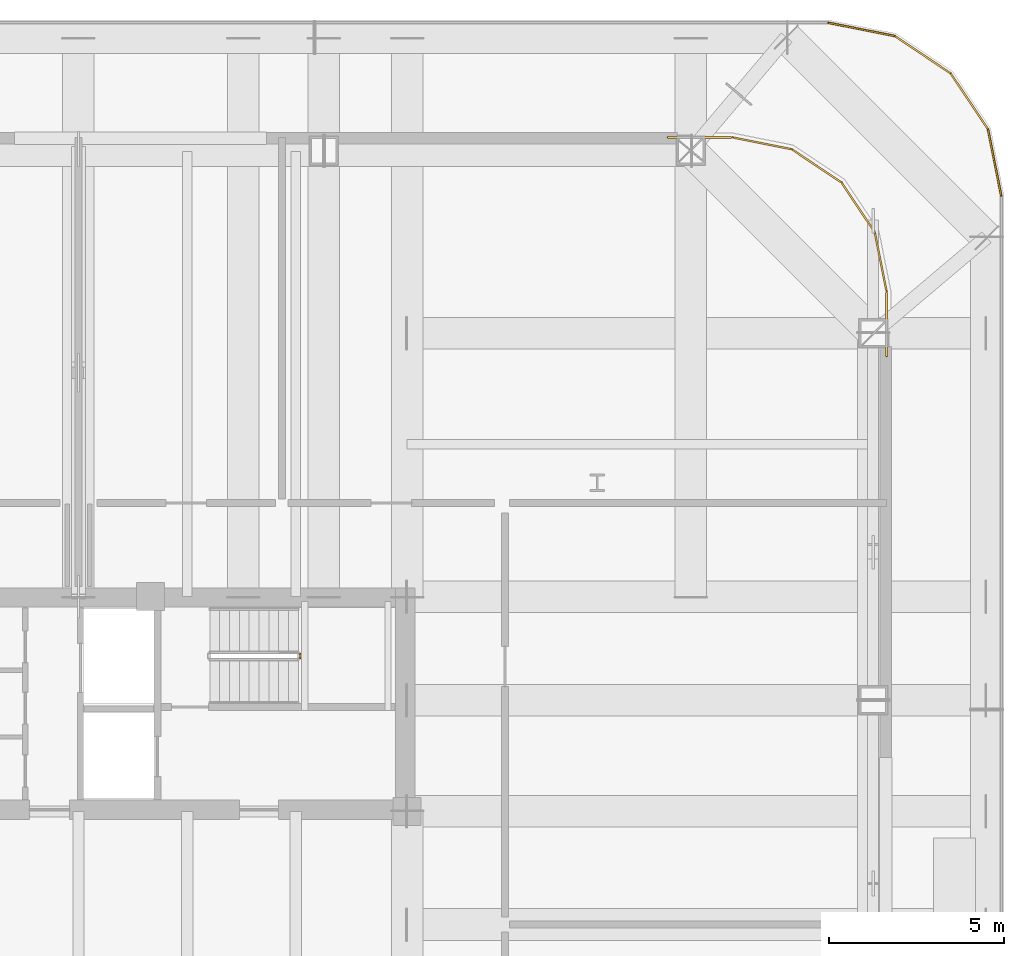
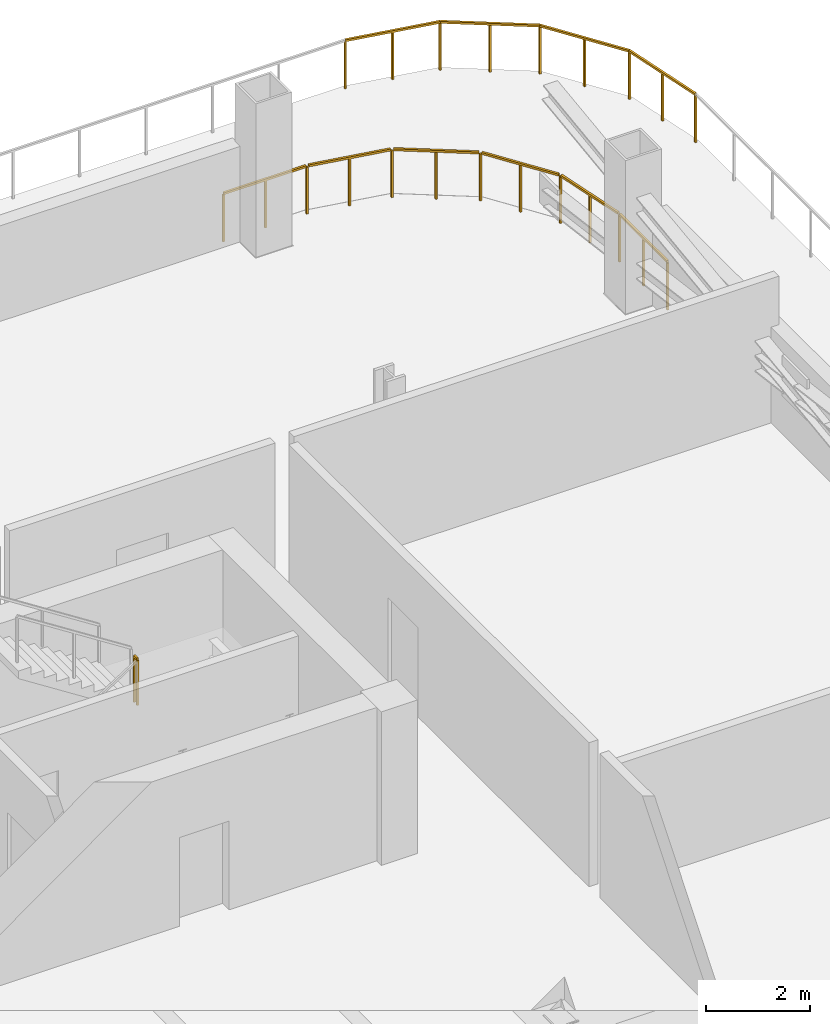
# One storey, part 16 of 16: 6 railings.
"""IFC4 building model written with IfcOpenShell, lengths in metres."""

from ifc_helpers import new_model, si_unit, direction, frame, origin, origin_2d, place, context, subcontext, project, spatial, rectangle, extrude, material, type_object, element, save


model = new_model("IFC4")

# Units and contexts
model_context = context("Model", 3, precision=1e-05, world=origin(), true_north=direction((0.0, 1.0)))
body_context = subcontext(model_context, "Body", "Model", "MODEL_VIEW")
ifc_project = project(units=[si_unit("LENGTHUNIT", "METRE"), si_unit("AREAUNIT", "SQUARE_METRE"), si_unit("VOLUMEUNIT", "CUBIC_METRE"), si_unit("PLANEANGLEUNIT", "RADIAN"), si_unit("MASSUNIT", "GRAM", prefix="KILO")], contexts=[model_context])

# Site, building, storey
site_placement = place(None, origin())
site = spatial("IfcSite", under=ifc_project, at=site_placement, CompositionType="ELEMENT")
building_placement = place(site_placement, origin())
building = spatial("IfcBuilding", under=site, at=building_placement, Name="Qhalaya Broadcast Tower", CompositionType="ELEMENT")
storey_placement = place(building_placement, frame((0.0, 0.0, 57.89990234375)))
storey = spatial("IfcBuildingStorey", under=building, at=storey_placement, Name="L16", CompositionType="ELEMENT", Elevation=57.89990234375)

# Railings
ifc_material = material(Name="Powder-Coated Galvanised Steel", Category="steel")
railing_type_1 = type_object("IfcRailingType", Name="Stair Well & Landing Guardrail 1100", PredefinedType="GUARDRAIL", material=ifc_material)
railing_1_placement = place(storey_placement, frame((6.320068359375, 8.199951171875, 1.800048828125)))
element("IfcRailing", 1, at=railing_1_placement, inside=storey, type_object=railing_type_1, Name="L16 ST-1 Stair Guard 2", PredefinedType="GUARDRAIL", context=body_context, shape_type="SweptSolid", body=[
    extrude(rectangle(XDim=0.048095703125, YDim=0.048095703125, at=origin_2d()), frame((0.0, 0.0, 1.076171875), z_axis=(0.0, 1.0, 0.0), x_axis=(-1.0, 0.0, 0.0)), (0.0, 0.0, 1.0), 0.1201171875),
    extrude(rectangle(XDim=0.0419921875, YDim=0.0419921875, at=origin_2d()), origin(), (0.0, 0.0, 1.0), 1.050048828125),
    extrude(rectangle(XDim=0.0419921875, YDim=0.0419921875, at=origin_2d()), frame((0.0, 0.1201171875, 0.0)), (0.0, 0.0, 1.0), 1.050048828125),
])
railing_type_2 = type_object("IfcRailingType", Name="Terrace, Sky-Pool & Lookout Glass Balustrade 1150", PredefinedType="BALUSTRADE", material=ifc_material)
railing_2_placement = place(storey_placement, frame((21.39208984375, 26.320068359375, 0.0)))
element("IfcRailing", 2, at=railing_2_placement, inside=storey, type_object=railing_type_2, Name="L16 Perimeter Safety Balustrade BAL-TER1-12", PredefinedType="BALUSTRADE", context=body_context, shape_type="SweptSolid", body=[
    extrude(rectangle(XDim=0.048095703125, YDim=0.048095703125, at=origin_2d()), frame((0.0, 0.0, 1.1259765625), z_axis=(0.980784784652, -0.195092814307, 0.0), x_axis=(0.195092814307, 0.980784784652, 0.0)), (0.0, 0.0, 1.0), 1.92724609375),
    extrude(rectangle(XDim=0.0419921875, YDim=0.0419921875, at=origin_2d()), origin(), (0.0, 0.0, 1.0), 1.099853515625),
    extrude(rectangle(XDim=0.0419921875, YDim=0.0419921875, at=origin_2d()), frame((0.945068359375, -0.18798828125, 0.0)), (0.0, 0.0, 1.0), 1.099853515625),
    extrude(rectangle(XDim=0.0419921875, YDim=0.0419921875, at=origin_2d()), frame((1.89013671875, -0.3759765625, 0.0)), (0.0, 0.0, 1.0), 1.099853515625),
])
railing_3_placement = place(storey_placement, frame((23.2822265625, 25.944091796875, 0.0)))
element("IfcRailing", 3, at=railing_3_placement, inside=storey, type_object=railing_type_2, Name="L16 Perimeter Safety Balustrade BAL-TER1-13", PredefinedType="BALUSTRADE", context=body_context, shape_type="SweptSolid", body=[
    extrude(rectangle(XDim=0.048095703125, YDim=0.048095703125, at=origin_2d()), frame((0.0, 0.0, 1.1259765625), z_axis=(0.831384235895, -0.555697986594, 0.0), x_axis=(0.555697986594, 0.831384235895, 0.0)), (0.0, 0.0, 1.0), 1.9189453125),
    extrude(rectangle(XDim=0.0419921875, YDim=0.0419921875, at=origin_2d()), origin(), (0.0, 0.0, 1.0), 1.099853515625),
    extrude(rectangle(XDim=0.0419921875, YDim=0.0419921875, at=origin_2d()), frame((0.7978515625, -0.533203125, 0.0)), (0.0, 0.0, 1.0), 1.099853515625),
    extrude(rectangle(XDim=0.0419921875, YDim=0.0419921875, at=origin_2d()), frame((1.595458984375, -1.06640625, 0.0)), (0.0, 0.0, 1.0), 1.099853515625),
])
railing_4_placement = place(storey_placement, frame((24.877685546875, 24.877685546875, 0.0)))
element("IfcRailing", 4, at=railing_4_placement, inside=storey, type_object=railing_type_2, Name="L16 Perimeter Safety Balustrade BAL-TER1-14", PredefinedType="BALUSTRADE", context=body_context, shape_type="SweptSolid", body=[
    extrude(rectangle(XDim=0.048095703125, YDim=0.048095703125, at=origin_2d()), frame((0.0, 0.0, 1.1259765625), z_axis=(0.555697986594, -0.831384235895, 0.0), x_axis=(0.831384235895, 0.555697986594, 0.0)), (0.0, 0.0, 1.0), 1.9189453125),
    extrude(rectangle(XDim=0.0419921875, YDim=0.0419921875, at=origin_2d()), origin(), (0.0, 0.0, 1.0), 1.099853515625),
    extrude(rectangle(XDim=0.0419921875, YDim=0.0419921875, at=origin_2d()), frame((0.533203125, -0.7978515625, 0.0)), (0.0, 0.0, 1.0), 1.099853515625),
    extrude(rectangle(XDim=0.0419921875, YDim=0.0419921875, at=origin_2d()), frame((1.06640625, -1.595458984375, 0.0)), (0.0, 0.0, 1.0), 1.099853515625),
])
railing_5_placement = place(storey_placement, frame((25.944091796875, 23.2822265625, 0.0)))
element("IfcRailing", 5, at=railing_5_placement, inside=storey, type_object=railing_type_2, Name="L16 Perimeter Safety Balustrade BAL-TER1-15", PredefinedType="BALUSTRADE", context=body_context, shape_type="SweptSolid", body=[
    extrude(rectangle(XDim=0.048095703125, YDim=0.048095703125, at=origin_2d()), frame((0.0, 0.0, 1.1259765625), z_axis=(0.195092814307, -0.980784784652, 0.0), x_axis=(0.980784784652, 0.195092814307, 0.0)), (0.0, 0.0, 1.0), 1.92724609375),
    extrude(rectangle(XDim=0.0419921875, YDim=0.0419921875, at=origin_2d()), origin(), (0.0, 0.0, 1.0), 1.099853515625),
    extrude(rectangle(XDim=0.0419921875, YDim=0.0419921875, at=origin_2d()), frame((0.18798828125, -0.945068359375, 0.0)), (0.0, 0.0, 1.0), 1.099853515625),
    extrude(rectangle(XDim=0.0419921875, YDim=0.0419921875, at=origin_2d()), frame((0.3759765625, -1.89013671875, 0.0)), (0.0, 0.0, 1.0), 1.099853515625),
])
railing_6_placement = place(storey_placement, frame((16.802001953125, 23.050048828125, 0.0)))
element("IfcRailing", 6, at=railing_6_placement, inside=storey, type_object=railing_type_2, Name="L16 Rounded Corner Perimeter Guard 04", PredefinedType="BALUSTRADE", context=body_context, shape_type="SweptSolid", body=[
    extrude(rectangle(XDim=0.048095703125, YDim=0.048095703125, at=origin_2d()), frame((0.0, 0.0, 1.1259765625), z_axis=(1.0, 0.0, 0.0), x_axis=(0.0, 1.0, 0.0)), (0.0, 0.0, 1.0), 1.827392578125),
    extrude(rectangle(XDim=0.048095703125, YDim=0.048095703125, at=origin_2d()), frame((1.884521484375, -0.005615234375, 1.1259765625), z_axis=(0.980798435511, -0.195024175165, 0.0), x_axis=(0.195024175165, 0.980798435511, 0.0)), (0.0, 0.0, 1.0), 1.662353515625),
    extrude(rectangle(XDim=0.048095703125, YDim=0.048095703125, at=origin_2d()), frame((3.567138671875, -0.3515625, 1.1259765625), z_axis=(0.831390055854, -0.555689279209, 0.0), x_axis=(0.555689279209, 0.831390055854, 0.0)), (0.0, 0.0, 1.0), 1.650390625),
    extrude(rectangle(XDim=0.048095703125, YDim=0.048095703125, at=origin_2d()), frame((4.9794921875, -1.30859375, 1.1259765625), z_axis=(0.555689279209, -0.831390055854, 0.0), x_axis=(0.831390055854, 0.555689279209, 0.0)), (0.0, 0.0, 1.0), 1.650390625),
    extrude(rectangle(XDim=0.048095703125, YDim=0.048095703125, at=origin_2d()), frame((5.918212890625, -2.733154296875, 1.1259765625), z_axis=(0.195024175165, -0.980798435511, 0.0), x_axis=(0.980798435511, 0.195024175165, 0.0)), (0.0, 0.0, 1.0), 1.662353515625),
    extrude(rectangle(XDim=0.048095703125, YDim=0.048095703125, at=origin_2d()), frame((6.248046875, -4.420654296875, 1.1259765625), z_axis=(0.0, -1.0, 0.0), x_axis=(1.0, 0.0, 0.0)), (0.0, 0.0, 1.0), 1.827392578125),
    extrude(rectangle(XDim=0.0419921875, YDim=0.0419921875, at=origin_2d()), origin(), (0.0, 0.0, 1.0), 1.099853515625),
    extrude(rectangle(XDim=0.0419921875, YDim=0.0419921875, at=origin_2d()), frame((0.92822265625, 0.0, 0.0)), (0.0, 0.0, 1.0), 1.099853515625),
    extrude(rectangle(XDim=0.0419921875, YDim=0.0419921875, at=origin_2d()), frame((1.856201171875, 0.0, 0.0)), (0.0, 0.0, 1.0), 1.099853515625),
    extrude(rectangle(XDim=0.0419921875, YDim=0.0419921875, at=origin_2d()), frame((2.69970703125, -0.167724609375, 0.0)), (0.0, 0.0, 1.0), 1.099853515625),
    extrude(rectangle(XDim=0.0419921875, YDim=0.0419921875, at=origin_2d()), frame((3.543212890625, -0.33544921875, 0.0)), (0.0, 0.0, 1.0), 1.099853515625),
    extrude(rectangle(XDim=0.0419921875, YDim=0.0419921875, at=origin_2d()), frame((4.25341796875, -0.81005859375, 0.0)), (0.0, 0.0, 1.0), 1.099853515625),
    extrude(rectangle(XDim=0.0419921875, YDim=0.0419921875, at=origin_2d()), frame((4.96337890625, -1.28466796875, 0.0)), (0.0, 0.0, 1.0), 1.099853515625),
    extrude(rectangle(XDim=0.0419921875, YDim=0.0419921875, at=origin_2d()), frame((5.43798828125, -1.99462890625, 0.0)), (0.0, 0.0, 1.0), 1.099853515625),
    extrude(rectangle(XDim=0.0419921875, YDim=0.0419921875, at=origin_2d()), frame((5.91259765625, -2.704833984375, 0.0)), (0.0, 0.0, 1.0), 1.099853515625),
    extrude(rectangle(XDim=0.0419921875, YDim=0.0419921875, at=origin_2d()), frame((6.080322265625, -3.54833984375, 0.0)), (0.0, 0.0, 1.0), 1.099853515625),
    extrude(rectangle(XDim=0.0419921875, YDim=0.0419921875, at=origin_2d()), frame((6.248046875, -4.391845703125, 0.0)), (0.0, 0.0, 1.0), 1.099853515625),
    extrude(rectangle(XDim=0.0419921875, YDim=0.0419921875, at=origin_2d()), frame((6.248046875, -5.31982421875, 0.0)), (0.0, 0.0, 1.0), 1.099853515625),
    extrude(rectangle(XDim=0.0419921875, YDim=0.0419921875, at=origin_2d()), frame((6.248046875, -6.248046875, 0.0)), (0.0, 0.0, 1.0), 1.099853515625),
])

save(model, "model.ifc")
